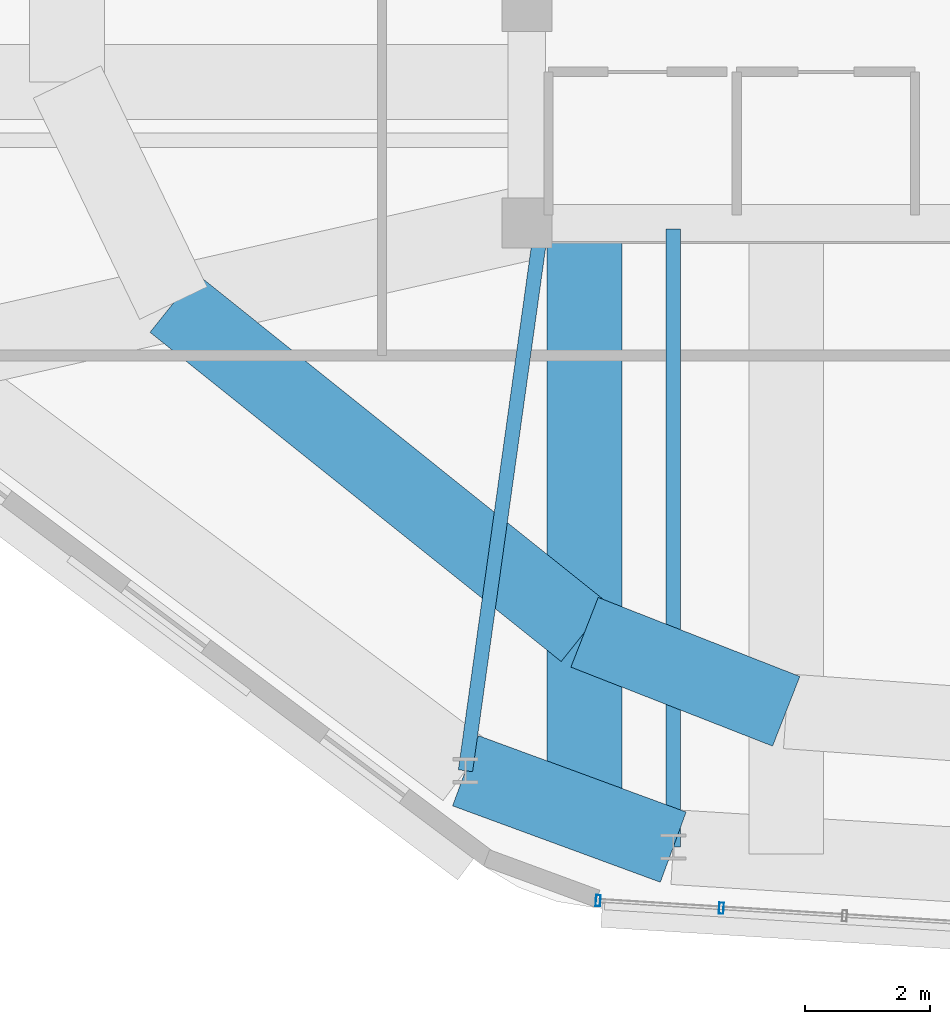
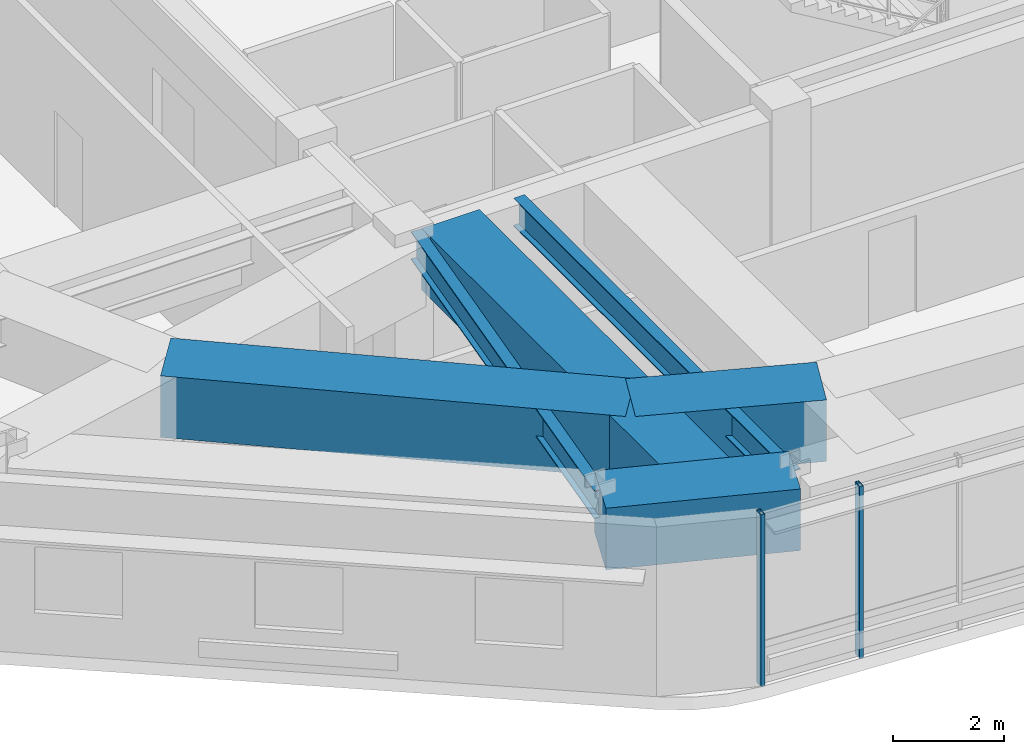
# One storey, part 2 of 17: 6 beams, 2 members, 1 element without a shape of its own.
"""IFC4 building model written with IfcOpenShell, lengths in metres."""

import ifcopenshell
import ifcopenshell.guid

model = None  # the IFC model being written
_history = None  # IfcOwnerHistory: only IFC2X3 demands one
_inside = {}  # id of a spatial element -> (the spatial element, [elements in it])
_under = {}  # id of a project, library or spatial element -> (it, [spatial elements below it])
_declared = {}  # id of a project -> (the project, [libraries it declares])
_typed = {}  # id of a type object -> (the type object, [elements of that type])
_made_of = {}  # id of a material, layer set ... -> (it, [elements and type objects made of it])


def new_model(schema):
    """Start an empty IFC model of exactly this schema.

    Asked for "IFC4X3", IfcOpenShell would pick the latest addendum, in which some entities
    have other attributes; the version numbers below select the first issue.
    IFC2X3 requires an IfcOwnerHistory on every rooted entity: one is made here for all.
    """
    global model, _history
    if schema == "IFC4X3":
        model = ifcopenshell.file(schema_version=(4, 3, 0, 0))
    else:
        model = ifcopenshell.file(schema=schema)
    _inside.clear()
    _under.clear()
    _declared.clear()
    _typed.clear()
    _made_of.clear()
    _history = None
    if model.schema == "IFC2X3":
        org = make("IfcOrganization", Name="unknown")
        user = make(
            "IfcPersonAndOrganization",
            ThePerson=make("IfcPerson", FamilyName="unknown"),
            TheOrganization=org,
        )
        app = make(
            "IfcApplication",
            ApplicationDeveloper=org,
            Version="unknown",
            ApplicationFullName="unknown",
            ApplicationIdentifier="unknown",
        )
        _history = make(
            "IfcOwnerHistory",
            OwningUser=user,
            OwningApplication=app,
            ChangeAction="ADDED",
            CreationDate=0,
        )
    return model


def make(cls, **values):
    """One entity of the class cls with the attributes given. An attribute that is None is left unset."""
    return model.create_entity(
        cls, **{name: value for name, value in values.items() if value is not None}
    )


def rooted(cls, **values):
    """An entity with a GlobalId (a new one), such as an element, a storey or a relation."""
    return make(cls, GlobalId=ifcopenshell.guid.new(), OwnerHistory=_history, **values)


def si_unit(unit_type, name, prefix=None):
    """IfcSIUnit, for example si_unit("LENGTHUNIT", "METRE", prefix="MILLI")."""
    return make("IfcSIUnit", UnitType=unit_type, Prefix=prefix, Name=name)


def assignment(units):
    """IfcUnitAssignment: the units of a project."""
    return None if units is None else make("IfcUnitAssignment", Units=units)


def point(xyz):
    """IfcCartesianPoint."""
    return None if xyz is None else make("IfcCartesianPoint", Coordinates=xyz)


def direction(xyz):
    """IfcDirection."""
    return None if xyz is None else make("IfcDirection", DirectionRatios=xyz)


def frame(location, z_axis=None, x_axis=None):
    """IfcAxis2Placement3D, a coordinate frame: its origin and axes. An axis left out is left unset."""
    return make(
        "IfcAxis2Placement3D",
        Location=point(location),
        Axis=direction(z_axis),
        RefDirection=direction(x_axis),
    )


def frame_2d(location, x_axis=None):
    """IfcAxis2Placement2D, a coordinate frame in the plane: its origin and x axis."""
    return make(
        "IfcAxis2Placement2D", Location=point(location), RefDirection=direction(x_axis)
    )


def origin():
    """The frame at (0, 0, 0) with its axes left unset."""
    return frame((0.0, 0.0, 0.0))


def origin_2d():
    """The frame at (0, 0) in the plane with its x axis left unset."""
    return frame_2d((0.0, 0.0))


def place(relative_to, where):
    """IfcLocalPlacement: puts the frame where relative to a parent placement (None: the world)."""
    return make(
        "IfcLocalPlacement", PlacementRelTo=relative_to, RelativePlacement=where
    )


def context(
    kind, dimensions, precision=None, world=None, true_north=None, identifier=None
):
    """IfcGeometricRepresentationContext, for example the 3D "Model" context."""
    return make(
        "IfcGeometricRepresentationContext",
        ContextIdentifier=identifier,
        ContextType=kind,
        CoordinateSpaceDimension=dimensions,
        Precision=precision,
        WorldCoordinateSystem=world,
        TrueNorth=true_north,
    )


def subcontext(parent, identifier, kind, view, scale=None):
    """IfcGeometricRepresentationSubContext, for example "Body" below "Model"."""
    return make(
        "IfcGeometricRepresentationSubContext",
        ContextIdentifier=identifier,
        ContextType=kind,
        ParentContext=parent,
        TargetScale=scale,
        TargetView=view,
    )


def project(units=None, contexts=None):
    """IfcProject with its units and contexts."""
    return rooted(
        "IfcProject",
        Name="project",
        RepresentationContexts=contexts,
        UnitsInContext=assignment(units),
    )


def spatial(cls, under=None, at=None, **own):
    """A site, building, storey or space (cls), placed at a placement, below another one or the project."""
    s = rooted(cls, ObjectPlacement=at, **own)
    if under is not None:
        _under.setdefault(under.id(), (under, []))[1].append(s)
    return s


def profile(cls, at=None, kind="AREA", **sizes):
    """A parametric profile (cls). Its sizes go by their IFC names, for example OverallWidth=200.0."""
    return make(cls, ProfileType=kind, Position=at, **sizes)


def rectangle(**sizes):
    """IfcRectangleProfileDef."""
    return profile("IfcRectangleProfileDef", **sizes)


def hollow_rectangle(**sizes):
    """IfcRectangleHollowProfileDef."""
    return profile("IfcRectangleHollowProfileDef", **sizes)


def i_section(**sizes):
    """IfcIShapeProfileDef."""
    return profile("IfcIShapeProfileDef", **sizes)


def extrude(swept, where, along, depth):
    """IfcExtrudedAreaSolid: the profile swept, set in the frame where, extruded along a direction by depth."""
    return make(
        "IfcExtrudedAreaSolid",
        SweptArea=swept,
        Position=where,
        ExtrudedDirection=direction(along),
        Depth=depth,
    )


def shape(context_of_items, identifier, shape_type, items):
    """IfcShapeRepresentation: the items that make up one representation, for example the "Body"."""
    return make(
        "IfcShapeRepresentation",
        ContextOfItems=context_of_items,
        RepresentationIdentifier=identifier,
        RepresentationType=shape_type,
        Items=items,
    )


def material(Name=None, Category=None):
    """IfcMaterial."""
    return make("IfcMaterial", Name=Name, Category=Category)


def material_profile(
    of_material, cross_section, Name=None, Category=None, Priority=None
):
    """IfcMaterialProfile: a cross section and its material."""
    return make(
        "IfcMaterialProfile",
        Name=Name,
        Material=of_material,
        Profile=cross_section,
        Priority=Priority,
        Category=Category,
    )


def profile_set(profiles, Name=None, composite=None):
    """IfcMaterialProfileSet."""
    return make(
        "IfcMaterialProfileSet",
        Name=Name,
        MaterialProfiles=profiles,
        CompositeProfile=composite,
    )


def made_of(thing, what):
    """Note that an element or type object is made of a material, layer set ...; save() writes the relation."""
    if what is not None:
        _made_of.setdefault(what.id(), (what, []))[1].append(thing)
    return thing


def type_object(cls, material=None, **own):
    """A type object (cls), such as IfcWallType, which elements share."""
    return made_of(rooted(cls, **own), material)


def element(
    cls,
    number,
    at=None,
    inside=None,
    cuts=None,
    type_object=None,
    material=None,
    context=None,
    identifier="Body",
    shape_type=None,
    held_by="IfcProductDefinitionShape",
    body=None,
    shapes=None,
    **own,
):
    """One element of the class cls, such as IfcWall. Its Tag is "e" and its number.

    at: its placement. inside: the storey or other place that contains it. cuts: it is an
    opening in that element (IfcRelVoidsElement). A single representation is given by context,
    identifier, shape_type and body (its items); several are given by shapes. held_by: the class
    of the entity that holds the representations. save() writes the other relations.
    """
    e = rooted(cls, Tag="e%d" % number, ObjectPlacement=at, **own)
    if body is not None:
        shapes = [shape(context, identifier, shape_type, body)]
    if shapes is not None:
        e.Representation = make(held_by, Representations=shapes)
    if inside is not None:
        _inside.setdefault(inside.id(), (inside, []))[1].append(e)
    if cuts is not None:
        rooted(
            "IfcRelVoidsElement", RelatingBuildingElement=cuts, RelatedOpeningElement=e
        )
    if type_object is not None:
        _typed.setdefault(type_object.id(), (type_object, []))[1].append(e)
    return made_of(e, material)


def aggregate(whole, parts):
    """IfcRelAggregates: a whole, such as a stair, and the parts it consists of."""
    return rooted("IfcRelAggregates", RelatingObject=whole, RelatedObjects=parts)


def save(model, path):
    """Write the relations noted so far, then the file.

    IfcRelAggregates (storeys below a building ...), IfcRelContainedInSpatialStructure (elements
    in a storey), IfcRelDefinesByType, IfcRelAssociatesMaterial and IfcRelDeclares: one each for
    every whole, place, type object, material and project.
    """
    for whole, parts in _under.values():
        aggregate(whole, parts)
    for where, things in _inside.values():
        rooted(
            "IfcRelContainedInSpatialStructure",
            RelatedElements=things,
            RelatingStructure=where,
        )
    for kind, things in _typed.values():
        rooted("IfcRelDefinesByType", RelatedObjects=things, RelatingType=kind)
    for what, things in _made_of.values():
        rooted("IfcRelAssociatesMaterial", RelatedObjects=things, RelatingMaterial=what)
    for by, libraries in _declared.values():
        rooted("IfcRelDeclares", RelatingContext=by, RelatedDefinitions=libraries)
    model.write(path)


model = new_model("IFC4")

# Units and contexts
model_context = context("Model", 3, precision=1e-05, world=origin(), true_north=direction((0.0, 1.0)))
body_context = subcontext(model_context, "Body", "Model", "MODEL_VIEW")
ifc_project = project(units=[si_unit("LENGTHUNIT", "METRE"), si_unit("AREAUNIT", "SQUARE_METRE"), si_unit("VOLUMEUNIT", "CUBIC_METRE"), si_unit("PLANEANGLEUNIT", "RADIAN"), si_unit("MASSUNIT", "GRAM", prefix="KILO")], contexts=[model_context])

# Site, building, storey
site_placement = place(None, origin())
site = spatial("IfcSite", under=ifc_project, at=site_placement, CompositionType="ELEMENT")
building_placement = place(site_placement, origin())
building = spatial("IfcBuilding", under=site, at=building_placement, Name="Zulverin Broadcast Headquarters", CompositionType="ELEMENT")
storey_placement = place(building_placement, frame((0.0, 0.0, 317.39990234375)))
storey = spatial("IfcBuildingStorey", under=building, at=storey_placement, Name="C2", CompositionType="ELEMENT", Elevation=317.39990234375)

# Beams
ifc_material_1 = material(Name="Concrete C50/60", Category="concrete")
ifc_material_profile_1 = material_profile(ifc_material_1, rectangle(XDim=1.199951171875, YDim=1.35009765625, at=origin_2d()), Name="Concrete C50/60", Category="concrete")
ifc_profile_set_1 = profile_set([ifc_material_profile_1], Name="Concrete C50/60")
beam_type_1 = type_object("IfcBeamType", Name="BM-TG-CRN-1350", PredefinedType="USERDEFINED", material=ifc_profile_set_1)
beam_1_placement = place(storey_placement, frame((29.639404296875, 8.5400390625, 3.045166015625), z_axis=(0.938564798166, -0.345103056556, 0.0), x_axis=(0.345103056556, 0.938564798166, 0.0)))
element("IfcBeam", 1, at=beam_1_placement, inside=storey, type_object=beam_type_1, Name="C2 Perimeter Transfer Ring Girder SP-16", ObjectType="TRANSFER GIRDER", PredefinedType="USERDEFINED", context=body_context, shape_type="SweptSolid", body=[
    extrude(rectangle(XDim=1.199951171875, YDim=1.35009765625, at=origin_2d()), origin(), (0.0, 0.0, 1.0), 3.550537109375),
])
beam_2_placement = place(storey_placement, frame((24.9541015625, 16.040283203125, 3.045166015625), z_axis=(0.780660133876, -0.624955802739, 0.0), x_axis=(0.624955802739, 0.780660133876, 0.0)))
element("IfcBeam", 2, at=beam_2_placement, inside=storey, type_object=beam_type_1, Name="C3 Step Transfer Ring Girder TGR-15", ObjectType="TRANSFER GIRDER", PredefinedType="USERDEFINED", context=body_context, shape_type="SweptSolid", body=[
    extrude(rectangle(XDim=1.199951171875, YDim=1.35009765625, at=origin_2d()), origin(), (0.0, 0.0, 1.0), 8.4482421875),
])
beam_3_placement = place(storey_placement, frame((31.54931640625, 17.22509765625, 3.045166015625), z_axis=(0.0, -1.0, 0.0), x_axis=(1.0, 0.0, 0.0)))
element("IfcBeam", 3, at=beam_3_placement, inside=storey, type_object=beam_type_1, Name="C3 Step Transfer Girder TG-16", ObjectType="TRANSFER GIRDER", PredefinedType="USERDEFINED", context=body_context, shape_type="SweptSolid", body=[
    extrude(rectangle(XDim=1.199951171875, YDim=1.35009765625, at=origin_2d()), origin(), (0.0, 0.0, 1.0), 9.387451171875),
])
beam_4_placement = place(storey_placement, frame((31.54931640625, 10.760498046875, 3.045166015625), z_axis=(0.931090256354, -0.364788890351, 0.0), x_axis=(0.364788890351, 0.931090256354, 0.0)))
element("IfcBeam", 4, at=beam_4_placement, inside=storey, type_object=beam_type_1, Name="C3 Step Transfer Ring Girder TGR-16", ObjectType="TRANSFER GIRDER", PredefinedType="USERDEFINED", context=body_context, shape_type="SweptSolid", body=[
    extrude(rectangle(XDim=1.199951171875, YDim=1.35009765625, at=origin_2d()), origin(), (0.0, 0.0, 1.0), 3.473388671875),
])
ifc_material_2 = material(Name="Structural steel S355JR", Category="steel")
ifc_material_profile_2 = material_profile(ifc_material_2, i_section(OverallWidth=0.230224609375, OverallDepth=0.6171875, WebThickness=0.01318359375, FlangeThickness=0.022216796875, at=origin_2d()), Name="Structural steel S355JR", Category="steel")
ifc_profile_set_2 = profile_set([ifc_material_profile_2], Name="Structural steel S355JR")
beam_type_2 = type_object("IfcBeamType", Name="BM-UB-610", PredefinedType="BEAM", material=ifc_profile_set_2)
beam_5_placement = place(storey_placement, frame((32.971923828125, 17.22509765625, 3.411376953125), z_axis=(0.0, -1.0, 0.0), x_axis=(1.0, 0.0, 0.0)))
element("IfcBeam", 5, at=beam_5_placement, inside=storey, type_object=beam_type_2, Name="C2 Radial Primary Floor Beam RB-01", PredefinedType="BEAM", context=body_context, shape_type="SweptSolid", body=[
    extrude(i_section(OverallWidth=0.230224609375, OverallDepth=0.6171875, WebThickness=0.01318359375, FlangeThickness=0.022216796875, at=origin_2d()), origin(), (0.0, 0.0, 1.0), 9.910400390625),
])
beam_6_placement = place(storey_placement, frame((30.85009765625, 17.22509765625, 3.411376953125), z_axis=(-0.138064564054, -0.990423230822, 0.0), x_axis=(0.990423230822, -0.138064564054, 0.0)))
element("IfcBeam", 6, at=beam_6_placement, inside=storey, type_object=beam_type_2, Name="C2 Radial Primary Floor Beam RB-16", PredefinedType="BEAM", context=body_context, shape_type="SweptSolid", body=[
    extrude(i_section(OverallWidth=0.230224609375, OverallDepth=0.6171875, WebThickness=0.01318359375, FlangeThickness=0.022216796875, at=origin_2d()), origin(), (0.0, 0.0, 1.0), 8.76904296875),
])

# Curtain wall, members
ifc_material_3 = material(Name="Crown damper-hall structural glass curtain wall", Category="glass")
curtain_wall_type = type_object("IfcCurtainWallType", Name="CW-CRN", PredefinedType="USERDEFINED", material=ifc_material_3)
curtain_wall_placement = place(storey_placement, origin())
curtain_wall = element("IfcCurtainWall", 7, at=curtain_wall_placement, inside=storey, type_object=curtain_wall_type, Name="C2 Unitised Curtain Wall CW-C2-E1", ObjectType="UNITISED CURTAIN WALL", PredefinedType="USERDEFINED")
ifc_material_4 = material(Name="Anodized pale-metal aluminium alloy 6063-T6", Category="aluminium")
ifc_material_profile_3 = material_profile(ifc_material_4, hollow_rectangle(XDim=0.074951171875, YDim=0.179931640625, WallThickness=0.0048828125, at=origin_2d()), Name="Anodized pale-metal aluminium alloy 6063-T6", Category="aluminium")
ifc_profile_set_3 = profile_set([ifc_material_profile_3], Name="Anodized pale-metal aluminium alloy 6063-T6")
member_type = type_object("IfcMemberType", Name="CW-MUL-180", PredefinedType="MULLION", material=ifc_profile_set_3)
member_1_placement = place(storey_placement, frame((31.766845703125, 6.457275390625, -0.02978515625), z_axis=(0.0, 0.0, 1.0), x_axis=(0.998102696661, -0.061571153301, 0.0)))
member_1 = element("IfcMember", 8, at=member_1_placement, type_object=member_type, Name="CW-C2-E1 Mullion 00", PredefinedType="MULLION", context=body_context, shape_type="SweptSolid", body=[
    extrude(hollow_rectangle(XDim=0.074951171875, YDim=0.179931640625, WallThickness=0.0048828125, at=origin_2d()), origin(), (0.0, 0.0, 1.0), 3.77978515625),
])
member_2_placement = place(storey_placement, frame((33.7431640625, 6.335205078125, -0.02978515625), z_axis=(0.0, 0.0, 1.0), x_axis=(0.998102696661, -0.061571153301, 0.0)))
member_2 = element("IfcMember", 9, at=member_2_placement, type_object=member_type, Name="CW-C2-E1 Mullion 01", PredefinedType="MULLION", context=body_context, shape_type="SweptSolid", body=[
    extrude(hollow_rectangle(XDim=0.074951171875, YDim=0.179931640625, WallThickness=0.0048828125, at=origin_2d()), origin(), (0.0, 0.0, 1.0), 3.77978515625),
])
aggregate(curtain_wall, [member_1, member_2])

save(model, "model.ifc")
